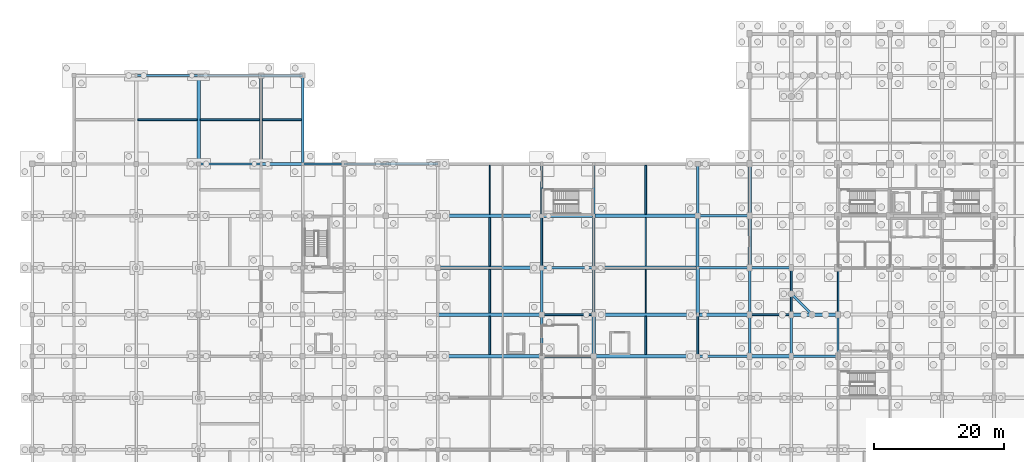
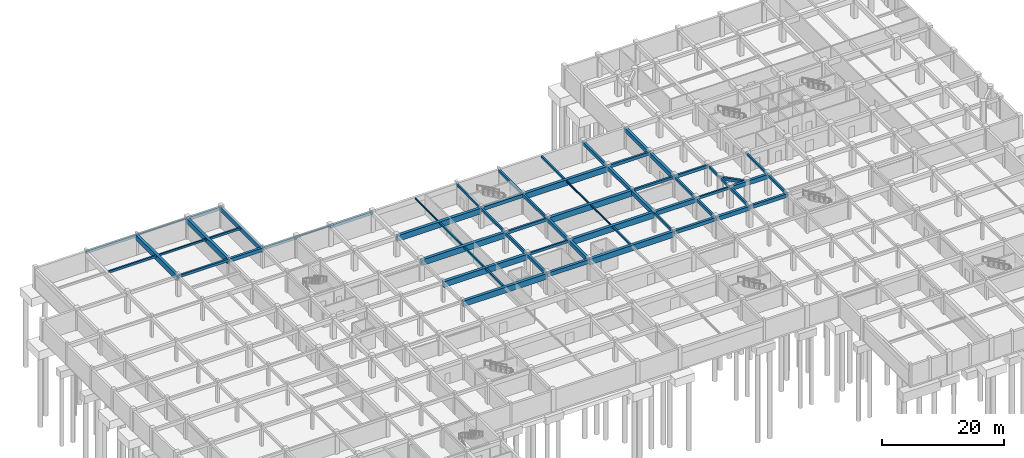
# One storey, part 13 of 28: 64 beams.
"""IFC4 building model written with IfcOpenShell, lengths in metres."""

from ifc_helpers import new_model, si_unit, direction, frame, origin, origin_2d, place, context, subcontext, project, spatial, rectangle, i_section, extrude, material, material_profile, profile_set, type_object, element, save


model = new_model("IFC4")

# Units and contexts
model_context = context("Model", 3, precision=1e-05, world=origin(), true_north=direction((0.0, 1.0)))
body_context = subcontext(model_context, "Body", "Model", "MODEL_VIEW")
ifc_project = project(units=[si_unit("LENGTHUNIT", "METRE"), si_unit("AREAUNIT", "SQUARE_METRE"), si_unit("VOLUMEUNIT", "CUBIC_METRE"), si_unit("PLANEANGLEUNIT", "RADIAN"), si_unit("MASSUNIT", "GRAM", prefix="KILO")], contexts=[model_context])

# Site, building, storey
site_placement = place(None, origin())
site = spatial("IfcSite", under=ifc_project, at=site_placement, CompositionType="ELEMENT")
building_placement = place(site_placement, origin())
building = spatial("IfcBuilding", under=site, at=building_placement, Name="Vellmiral Cinema and Media Centre", CompositionType="ELEMENT")
storey_placement = place(building_placement, frame((0.0, 0.0, -4.5)))
storey = spatial("IfcBuildingStorey", under=building, at=storey_placement, Name="B1", CompositionType="ELEMENT", Elevation=-4.5)

# Beams
ifc_material_1 = material(Name="Concrete C40/50", Category="concrete")
ifc_material_profile_1 = material_profile(ifc_material_1, rectangle(XDim=0.300048828125, YDim=0.449951171875, at=origin_2d()), Name="RC 300x450")
ifc_profile_set_1 = profile_set([ifc_material_profile_1], Name="Concrete C40/50")
beam_type_1 = type_object("IfcBeamType", Name="BM-RC-300x450", PredefinedType="BEAM", material=ifc_profile_set_1)
beam_1_placement = place(storey_placement, frame((78.39990234375, 87.199951171875, 3.85009765625), z_axis=(0.0, 1.0, 0.0), x_axis=(-1.0, 0.0, 0.0)))
element("IfcBeam", 1, at=beam_1_placement, inside=storey, type_object=beam_type_1, Name="Grid Beam B1-Y314", PredefinedType="BEAM", context=body_context, shape_type="SweptSolid", body=[
    extrude(rectangle(XDim=0.300048828125, YDim=0.449951171875, at=origin_2d()), origin(), (0.0, 0.0, 1.0), 8.0),
])
beam_2_placement = place(storey_placement, frame((124.0, 72.0, 3.85009765625), z_axis=(0.0, 1.0, 0.0), x_axis=(-1.0, 0.0, 0.0)))
element("IfcBeam", 2, at=beam_2_placement, inside=storey, type_object=beam_type_1, Name="Grid Beam B1-Y360", PredefinedType="BEAM", context=body_context, shape_type="SweptSolid", body=[
    extrude(rectangle(XDim=0.300048828125, YDim=0.449951171875, at=origin_2d()), origin(), (0.0, 0.0, 1.0), 7.199951171875),
])
ifc_material_2 = material(Name="Concrete C40/50", Category="concrete")
ifc_material_profile_2 = material_profile(ifc_material_2, rectangle(XDim=0.300048828125, YDim=0.5, at=origin_2d()), Name="RC 300x500")
ifc_profile_set_2 = profile_set([ifc_material_profile_2], Name="Concrete C40/50")
beam_type_2 = type_object("IfcBeamType", Name="BM-RC-300x500", PredefinedType="BEAM", material=ifc_profile_set_2)
beam_3_placement = place(storey_placement, frame((78.39990234375, 72.0, 3.824951171875), z_axis=(1.0, 0.0, 0.0), x_axis=(0.0, 1.0, 0.0)))
element("IfcBeam", 3, at=beam_3_placement, inside=storey, type_object=beam_type_2, Name="Grid Beam B1-X126", PredefinedType="BEAM", context=body_context, shape_type="SweptSolid", body=[
    extrude(rectangle(XDim=0.300048828125, YDim=0.5, at=origin_2d()), origin(), (0.0, 0.0, 1.0), 8.0),
])
beam_4_placement = place(storey_placement, frame((110.39990234375, 72.0, 3.824951171875), z_axis=(1.0, 0.0, 0.0), x_axis=(0.0, 1.0, 0.0)))
element("IfcBeam", 4, at=beam_4_placement, inside=storey, type_object=beam_type_2, Name="Grid Beam B1-X129", PredefinedType="BEAM", context=body_context, shape_type="SweptSolid", body=[
    extrude(rectangle(XDim=0.300048828125, YDim=0.5, at=origin_2d()), origin(), (0.0, 0.0, 1.0), 6.400146484375),
])
beam_5_placement = place(storey_placement, frame((78.39990234375, 79.199951171875, 3.824951171875), z_axis=(0.0, 1.0, 0.0), x_axis=(-1.0, 0.0, 0.0)))
element("IfcBeam", 5, at=beam_5_placement, inside=storey, type_object=beam_type_2, Name="Grid Beam B1-Y313", PredefinedType="BEAM", context=body_context, shape_type="SweptSolid", body=[
    extrude(rectangle(XDim=0.300048828125, YDim=0.5, at=origin_2d()), origin(), (0.0, 0.0, 1.0), 8.0),
])
beam_6_placement = place(storey_placement, frame((102.39990234375, 65.60009765625, 3.824951171875), z_axis=(0.0, 1.0, 0.0), x_axis=(-1.0, 0.0, 0.0)))
element("IfcBeam", 6, at=beam_6_placement, inside=storey, type_object=beam_type_2, Name="Grid Beam B1-Y327", PredefinedType="BEAM", context=body_context, shape_type="SweptSolid", body=[
    extrude(rectangle(XDim=0.300048828125, YDim=0.5, at=origin_2d()), origin(), (0.0, 0.0, 1.0), 6.39990234375),
])
beam_7_placement = place(storey_placement, frame((116.800048828125, 72.0, 3.824951171875), z_axis=(0.0, 1.0, 0.0), x_axis=(-1.0, 0.0, 0.0)))
element("IfcBeam", 7, at=beam_7_placement, inside=storey, type_object=beam_type_2, Name="Grid Beam B1-Y348", PredefinedType="BEAM", context=body_context, shape_type="SweptSolid", body=[
    extrude(rectangle(XDim=0.300048828125, YDim=0.5, at=origin_2d()), origin(), (0.0, 0.0, 1.0), 7.199951171875),
])
ifc_material_3 = material(Name="Concrete C40/50", Category="concrete")
ifc_material_profile_3 = material_profile(ifc_material_3, rectangle(XDim=0.35009765625, YDim=0.5, at=origin_2d()), Name="RC 350x500")
ifc_profile_set_3 = profile_set([ifc_material_profile_3], Name="Concrete C40/50")
beam_type_3 = type_object("IfcBeamType", Name="BM-RC-350x500", PredefinedType="BEAM", material=ifc_profile_set_3)
beam_8_placement = place(storey_placement, frame((102.39990234375, 79.199951171875, 3.824951171875), z_axis=(1.0, 0.0, 0.0), x_axis=(0.0, 1.0, 0.0)))
element("IfcBeam", 8, at=beam_8_placement, inside=storey, type_object=beam_type_3, Name="Grid Beam B1-X147", PredefinedType="BEAM", context=body_context, shape_type="SweptSolid", body=[
    extrude(rectangle(XDim=0.35009765625, YDim=0.5, at=origin_2d()), origin(), (0.0, 0.0, 1.0), 8.0),
])
beam_9_placement = place(storey_placement, frame((25.60009765625, 95.199951171875, 3.824951171875), z_axis=(1.0, 0.0, 0.0), x_axis=(0.0, 1.0, 0.0)))
element("IfcBeam", 9, at=beam_9_placement, inside=storey, type_object=beam_type_3, Name="Grid Beam B1-X177", PredefinedType="BEAM", context=body_context, shape_type="SweptSolid", body=[
    extrude(rectangle(XDim=0.35009765625, YDim=0.5, at=origin_2d()), origin(), (0.0, 0.0, 1.0), 9.599853515625),
])
beam_10_placement = place(storey_placement, frame((110.39990234375, 72.0, 3.824951171875), z_axis=(0.0, 1.0, 0.0), x_axis=(-1.0, 0.0, 0.0)))
element("IfcBeam", 10, at=beam_10_placement, inside=storey, type_object=beam_type_3, Name="Grid Beam B1-Y336", PredefinedType="BEAM", context=body_context, shape_type="SweptSolid", body=[
    extrude(rectangle(XDim=0.35009765625, YDim=0.5, at=origin_2d()), origin(), (0.0, 0.0, 1.0), 7.199951171875),
])
beam_11_placement = place(storey_placement, frame((124.0, 65.60009765625, 3.824951171875), z_axis=(0.0, 1.0, 0.0), x_axis=(-1.0, 0.0, 0.0)))
element("IfcBeam", 11, at=beam_11_placement, inside=storey, type_object=beam_type_3, Name="Grid Beam B1-Y359", PredefinedType="BEAM", context=body_context, shape_type="SweptSolid", body=[
    extrude(rectangle(XDim=0.35009765625, YDim=0.5, at=origin_2d()), origin(), (0.0, 0.0, 1.0), 6.39990234375),
])
ifc_material_4 = material(Name="Concrete C40/50", Category="concrete")
ifc_material_profile_4 = material_profile(ifc_material_4, rectangle(XDim=0.35009765625, YDim=0.550048828125, at=origin_2d()), Name="RC 350x550")
ifc_profile_set_4 = profile_set([ifc_material_profile_4], Name="Concrete C40/50")
beam_type_4 = type_object("IfcBeamType", Name="BM-RC-350x550", PredefinedType="BEAM", material=ifc_profile_set_4)
beam_12_placement = place(storey_placement, frame((86.39990234375, 87.199951171875, 3.800048828125), z_axis=(0.0, 1.0, 0.0), x_axis=(-1.0, 0.0, 0.0)))
element("IfcBeam", 12, at=beam_12_placement, inside=storey, type_object=beam_type_4, Name="Grid Beam B1-Y322", PredefinedType="BEAM", context=body_context, shape_type="SweptSolid", body=[
    extrude(rectangle(XDim=0.35009765625, YDim=0.550048828125, at=origin_2d()), origin(), (0.0, 0.0, 1.0), 8.0),
])
beam_13_placement = place(storey_placement, frame((116.800048828125, 65.60009765625, 3.800048828125), z_axis=(0.0, 1.0, 0.0), x_axis=(-1.0, 0.0, 0.0)))
element("IfcBeam", 13, at=beam_13_placement, inside=storey, type_object=beam_type_4, Name="Grid Beam B1-Y347", PredefinedType="BEAM", context=body_context, shape_type="SweptSolid", body=[
    extrude(rectangle(XDim=0.35009765625, YDim=0.550048828125, at=origin_2d()), origin(), (0.0, 0.0, 1.0), 6.39990234375),
])
ifc_material_5 = material(Name="Concrete C40/50", Category="concrete")
ifc_material_profile_5 = material_profile(ifc_material_5, rectangle(XDim=0.35009765625, YDim=0.60009765625, at=origin_2d()), Name="RC 350x600")
ifc_profile_set_5 = profile_set([ifc_material_profile_5], Name="Concrete C40/50")
beam_type_5 = type_object("IfcBeamType", Name="BM-RC-350x600", PredefinedType="BEAM", material=ifc_profile_set_5)
beam_14_placement = place(storey_placement, frame((78.39990234375, 79.199951171875, 3.77490234375), z_axis=(1.0, 0.0, 0.0), x_axis=(0.0, 1.0, 0.0)))
element("IfcBeam", 14, at=beam_14_placement, inside=storey, type_object=beam_type_5, Name="Grid Beam B1-X145", PredefinedType="BEAM", context=body_context, shape_type="SweptSolid", body=[
    extrude(rectangle(XDim=0.35009765625, YDim=0.60009765625, at=origin_2d()), origin(), (0.0, 0.0, 1.0), 8.0),
])
beam_15_placement = place(storey_placement, frame((110.39990234375, 79.199951171875, 3.77490234375), z_axis=(1.0, 0.0, 0.0), x_axis=(0.0, 1.0, 0.0)))
element("IfcBeam", 15, at=beam_15_placement, inside=storey, type_object=beam_type_5, Name="Grid Beam B1-X148", PredefinedType="BEAM", context=body_context, shape_type="SweptSolid", body=[
    extrude(rectangle(XDim=0.35009765625, YDim=0.60009765625, at=origin_2d()), origin(), (0.0, 0.0, 1.0), 6.400146484375),
])
beam_16_placement = place(storey_placement, frame((78.39990234375, 72.0, 3.77490234375), z_axis=(0.0, 1.0, 0.0), x_axis=(-1.0, 0.0, 0.0)))
element("IfcBeam", 16, at=beam_16_placement, inside=storey, type_object=beam_type_5, Name="Grid Beam B1-Y312", PredefinedType="BEAM", context=body_context, shape_type="SweptSolid", body=[
    extrude(rectangle(XDim=0.35009765625, YDim=0.60009765625, at=origin_2d()), origin(), (0.0, 0.0, 1.0), 7.199951171875),
])
beam_17_placement = place(storey_placement, frame((86.39990234375, 79.199951171875, 3.77490234375), z_axis=(0.0, 1.0, 0.0), x_axis=(-1.0, 0.0, 0.0)))
element("IfcBeam", 17, at=beam_17_placement, inside=storey, type_object=beam_type_5, Name="Grid Beam B1-Y321", PredefinedType="BEAM", context=body_context, shape_type="SweptSolid", body=[
    extrude(rectangle(XDim=0.35009765625, YDim=0.60009765625, at=origin_2d()), origin(), (0.0, 0.0, 1.0), 8.0),
])
beam_18_placement = place(storey_placement, frame((110.39990234375, 65.60009765625, 3.77490234375), z_axis=(0.0, 1.0, 0.0), x_axis=(-1.0, 0.0, 0.0)))
element("IfcBeam", 18, at=beam_18_placement, inside=storey, type_object=beam_type_5, Name="Grid Beam B1-Y335", PredefinedType="BEAM", context=body_context, shape_type="SweptSolid", body=[
    extrude(rectangle(XDim=0.35009765625, YDim=0.60009765625, at=origin_2d()), origin(), (0.0, 0.0, 1.0), 6.39990234375),
])
ifc_material_6 = material(Name="Concrete C40/50", Category="concrete")
ifc_material_profile_6 = material_profile(ifc_material_6, rectangle(XDim=0.39990234375, YDim=0.60009765625, at=origin_2d()), Name="RC 400x600")
ifc_profile_set_6 = profile_set([ifc_material_profile_6], Name="Concrete C40/50")
beam_type_6 = type_object("IfcBeamType", Name="BM-RC-400x600", PredefinedType="BEAM", material=ifc_profile_set_6)
beam_19_placement = place(storey_placement, frame((102.39990234375, 87.199951171875, 3.77490234375), z_axis=(1.0, 0.0, 0.0), x_axis=(0.0, 1.0, 0.0)))
element("IfcBeam", 19, at=beam_19_placement, inside=storey, type_object=beam_type_6, Name="Grid Beam B1-X166", PredefinedType="BEAM", context=body_context, shape_type="SweptSolid", body=[
    extrude(rectangle(XDim=0.39990234375, YDim=0.60009765625, at=origin_2d()), origin(), (0.0, 0.0, 1.0), 8.0),
])
ifc_material_7 = material(Name="Concrete C40/50", Category="concrete")
ifc_material_profile_7 = material_profile(ifc_material_7, rectangle(XDim=0.39990234375, YDim=0.64990234375, at=origin_2d()), Name="RC 400x650")
ifc_profile_set_7 = profile_set([ifc_material_profile_7], Name="Concrete C40/50")
beam_type_7 = type_object("IfcBeamType", Name="BM-RC-400x650", PredefinedType="BEAM", material=ifc_profile_set_7)
beam_20_placement = place(storey_placement, frame((78.39990234375, 65.60009765625, 3.75), z_axis=(0.0, 1.0, 0.0), x_axis=(-1.0, 0.0, 0.0)))
element("IfcBeam", 20, at=beam_20_placement, inside=storey, type_object=beam_type_7, Name="Grid Beam B1-Y311", PredefinedType="BEAM", context=body_context, shape_type="SweptSolid", body=[
    extrude(rectangle(XDim=0.39990234375, YDim=0.64990234375, at=origin_2d()), origin(), (0.0, 0.0, 1.0), 6.39990234375),
])
beam_21_placement = place(storey_placement, frame((102.39990234375, 87.199951171875, 3.75), z_axis=(0.0, 1.0, 0.0), x_axis=(-1.0, 0.0, 0.0)))
element("IfcBeam", 21, at=beam_21_placement, inside=storey, type_object=beam_type_7, Name="Grid Beam B1-Y330", PredefinedType="BEAM", context=body_context, shape_type="SweptSolid", body=[
    extrude(rectangle(XDim=0.39990234375, YDim=0.64990234375, at=origin_2d()), origin(), (0.0, 0.0, 1.0), 8.0),
])
ifc_material_8 = material(Name="Concrete C40/50", Category="concrete")
ifc_material_profile_8 = material_profile(ifc_material_8, rectangle(XDim=0.449951171875, YDim=0.699951171875, at=origin_2d()), Name="RC 450x700")
ifc_profile_set_8 = profile_set([ifc_material_profile_8], Name="Concrete C40/50")
beam_type_8 = type_object("IfcBeamType", Name="BM-RC-450x700", PredefinedType="BEAM", material=ifc_profile_set_8)
beam_22_placement = place(storey_placement, frame((102.39990234375, 65.60009765625, 3.72509765625), z_axis=(1.0, 0.0, 0.0), x_axis=(0.0, 1.0, 0.0)))
element("IfcBeam", 22, at=beam_22_placement, inside=storey, type_object=beam_type_8, Name="Grid Beam B1-X109", PredefinedType="BEAM", context=body_context, shape_type="SweptSolid", body=[
    extrude(rectangle(XDim=0.449951171875, YDim=0.699951171875, at=origin_2d()), origin(), (0.0, 0.0, 1.0), 8.0),
])
beam_23_placement = place(storey_placement, frame((116.800048828125, 65.60009765625, 3.72509765625), z_axis=(1.0, 0.0, 0.0), x_axis=(0.0, 1.0, 0.0)))
element("IfcBeam", 23, at=beam_23_placement, inside=storey, type_object=beam_type_8, Name="Grid Beam B1-X111", PredefinedType="BEAM", context=body_context, shape_type="SweptSolid", body=[
    extrude(rectangle(XDim=0.449951171875, YDim=0.699951171875, at=origin_2d()), origin(), (0.0, 0.0, 1.0), 7.199951171875),
])
beam_24_placement = place(storey_placement, frame((78.39990234375, 87.199951171875, 3.72509765625), z_axis=(1.0, 0.0, 0.0), x_axis=(0.0, 1.0, 0.0)))
element("IfcBeam", 24, at=beam_24_placement, inside=storey, type_object=beam_type_8, Name="Grid Beam B1-X164", PredefinedType="BEAM", context=body_context, shape_type="SweptSolid", body=[
    extrude(rectangle(XDim=0.449951171875, YDim=0.699951171875, at=origin_2d()), origin(), (0.0, 0.0, 1.0), 8.0),
])
beam_25_placement = place(storey_placement, frame((35.199951171875, 95.199951171875, 3.72509765625), z_axis=(1.0, 0.0, 0.0), x_axis=(0.0, 1.0, 0.0)))
element("IfcBeam", 25, at=beam_25_placement, inside=storey, type_object=beam_type_8, Name="Grid Beam B1-X178", PredefinedType="BEAM", context=body_context, shape_type="SweptSolid", body=[
    extrude(rectangle(XDim=0.449951171875, YDim=0.699951171875, at=origin_2d()), origin(), (0.0, 0.0, 1.0), 6.400146484375),
])
beam_26_placement = place(storey_placement, frame((86.39990234375, 72.0, 3.72509765625), z_axis=(0.0, 1.0, 0.0), x_axis=(-1.0, 0.0, 0.0)))
element("IfcBeam", 26, at=beam_26_placement, inside=storey, type_object=beam_type_8, Name="Grid Beam B1-Y320", PredefinedType="BEAM", context=body_context, shape_type="SweptSolid", body=[
    extrude(rectangle(XDim=0.449951171875, YDim=0.699951171875, at=origin_2d()), origin(), (0.0, 0.0, 1.0), 7.199951171875),
])
beam_27_placement = place(storey_placement, frame((102.39990234375, 79.199951171875, 3.72509765625), z_axis=(0.0, 1.0, 0.0), x_axis=(-1.0, 0.0, 0.0)))
element("IfcBeam", 27, at=beam_27_placement, inside=storey, type_object=beam_type_8, Name="Grid Beam B1-Y329", PredefinedType="BEAM", context=body_context, shape_type="SweptSolid", body=[
    extrude(rectangle(XDim=0.449951171875, YDim=0.699951171875, at=origin_2d()), origin(), (0.0, 0.0, 1.0), 8.0),
])
ifc_material_9 = material(Name="Concrete C40/50", Category="concrete")
ifc_material_profile_9 = material_profile(ifc_material_9, rectangle(XDim=0.5, YDim=0.800048828125, at=origin_2d()), Name="RC 500x800")
ifc_profile_set_9 = profile_set([ifc_material_profile_9], Name="Concrete C40/50")
beam_type_9 = type_object("IfcBeamType", Name="BM-RC-500x800", PredefinedType="BEAM", material=ifc_profile_set_9)
beam_28_placement = place(storey_placement, frame((78.39990234375, 65.60009765625, 3.675048828125), z_axis=(1.0, 0.0, 0.0), x_axis=(0.0, 1.0, 0.0)))
element("IfcBeam", 28, at=beam_28_placement, inside=storey, type_object=beam_type_9, Name="Grid Beam B1-X107", PredefinedType="BEAM", context=body_context, shape_type="SweptSolid", body=[
    extrude(rectangle(XDim=0.5, YDim=0.800048828125, at=origin_2d()), origin(), (0.0, 0.0, 1.0), 8.0),
])
beam_29_placement = place(storey_placement, frame((110.39990234375, 65.60009765625, 3.675048828125), z_axis=(1.0, 0.0, 0.0), x_axis=(0.0, 1.0, 0.0)))
element("IfcBeam", 29, at=beam_29_placement, inside=storey, type_object=beam_type_9, Name="Grid Beam B1-X110", PredefinedType="BEAM", context=body_context, shape_type="SweptSolid", body=[
    extrude(rectangle(XDim=0.5, YDim=0.800048828125, at=origin_2d()), origin(), (0.0, 0.0, 1.0), 6.400146484375),
])
beam_30_placement = place(storey_placement, frame((86.39990234375, 65.60009765625, 3.675048828125), z_axis=(0.0, 1.0, 0.0), x_axis=(-1.0, 0.0, 0.0)))
element("IfcBeam", 30, at=beam_30_placement, inside=storey, type_object=beam_type_9, Name="Grid Beam B1-Y319", PredefinedType="BEAM", context=body_context, shape_type="SweptSolid", body=[
    extrude(rectangle(XDim=0.5, YDim=0.800048828125, at=origin_2d()), origin(), (0.0, 0.0, 1.0), 6.39990234375),
])
beam_31_placement = place(storey_placement, frame((110.39990234375, 87.199951171875, 3.675048828125), z_axis=(0.0, 1.0, 0.0), x_axis=(-1.0, 0.0, 0.0)))
element("IfcBeam", 31, at=beam_31_placement, inside=storey, type_object=beam_type_9, Name="Grid Beam B1-Y338", PredefinedType="BEAM", context=body_context, shape_type="SweptSolid", body=[
    extrude(rectangle(XDim=0.5, YDim=0.800048828125, at=origin_2d()), origin(), (0.0, 0.0, 1.0), 8.0),
])
ifc_material_10 = material(Name="Concrete C40/50", Category="concrete")
ifc_material_profile_10 = material_profile(ifc_material_10, rectangle(XDim=0.5, YDim=0.85009765625, at=origin_2d()), Name="RC 500x850")
ifc_profile_set_10 = profile_set([ifc_material_profile_10], Name="Concrete C40/50")
beam_type_10 = type_object("IfcBeamType", Name="BM-RC-500x850", PredefinedType="BEAM", material=ifc_profile_set_10)
beam_32_placement = place(storey_placement, frame((102.39990234375, 72.0, 3.64990234375), z_axis=(1.0, 0.0, 0.0), x_axis=(0.0, 1.0, 0.0)))
element("IfcBeam", 32, at=beam_32_placement, inside=storey, type_object=beam_type_10, Name="Grid Beam B1-X128", PredefinedType="BEAM", context=body_context, shape_type="SweptSolid", body=[
    extrude(rectangle(XDim=0.5, YDim=0.85009765625, at=origin_2d()), origin(), (0.0, 0.0, 1.0), 8.0),
])
for number, where, z_axis, x_axis, name in (
    (33, (116.800048828125, 72.0, 3.64990234375), (1.0, 0.0, 0.0), (0.0, 1.0, 0.0), "Grid Beam B1-X130"),
    (34, (102.39990234375, 72.0, 3.64990234375), (0.0, 1.0, 0.0), (-1.0, 0.0, 0.0), "Grid Beam B1-Y328"),
):
    element("IfcBeam", number, at=place(storey_placement, frame(where, z_axis=z_axis, x_axis=x_axis)), inside=storey, type_object=beam_type_10, Name=name, PredefinedType="BEAM", context=body_context, shape_type="SweptSolid", body=[
        extrude(rectangle(XDim=0.5, YDim=0.85009765625, at=origin_2d()), origin(), (0.0, 0.0, 1.0), 7.199951171875),
    ])
beam_33_placement = place(storey_placement, frame((110.39990234375, 79.199951171875, 3.64990234375), z_axis=(0.0, 1.0, 0.0), x_axis=(-1.0, 0.0, 0.0)))
element("IfcBeam", 35, at=beam_33_placement, inside=storey, type_object=beam_type_10, Name="Grid Beam B1-Y337", PredefinedType="BEAM", context=body_context, shape_type="SweptSolid", body=[
    extrude(rectangle(XDim=0.5, YDim=0.85009765625, at=origin_2d()), origin(), (0.0, 0.0, 1.0), 8.0),
])
ifc_material_11 = material(Name="Concrete C40/50", Category="concrete")
ifc_material_profile_11 = material_profile(ifc_material_11, rectangle(XDim=0.5, YDim=1.050048828125, at=origin_2d()), Name="RC 500x1050")
ifc_profile_set_11 = profile_set([ifc_material_profile_11], Name="Concrete C40/50")
beam_type_11 = type_object("IfcBeamType", Name="BM-RCG-500x1050", PredefinedType="BEAM", material=ifc_profile_set_11)
for number, where, z_axis, x_axis, name in (
    (36, (25.60009765625, 95.199951171875, 3.550048828125), (0.0, 1.0, 0.0), (-1.0, 0.0, 0.0), "Grid Beam B1-Y255"),
    (37, (35.199951171875, 95.199951171875, 3.550048828125), (0.0, 1.0, 0.0), (-1.0, 0.0, 0.0), "Grid Beam B1-Y267"),
):
    element("IfcBeam", number, at=place(storey_placement, frame(where, z_axis=z_axis, x_axis=x_axis)), inside=storey, type_object=beam_type_11, Name=name, PredefinedType="BEAM", context=body_context, shape_type="SweptSolid", body=[
        extrude(rectangle(XDim=0.5, YDim=1.050048828125, at=origin_2d()), origin(), (0.0, 0.0, 1.0), 13.60009765625),
    ])
ifc_material_12 = material(Name="Concrete C40/50", Category="concrete")
ifc_material_profile_12 = material_profile(ifc_material_12, rectangle(XDim=0.550048828125, YDim=1.14990234375, at=origin_2d()), Name="RC 550x1150")
ifc_profile_set_12 = profile_set([ifc_material_profile_12], Name="Concrete C40/50")
beam_type_12 = type_object("IfcBeamType", Name="BM-RCG-550x1150", PredefinedType="BEAM", material=ifc_profile_set_12)
for number, where, z_axis, x_axis, name in (
    (38, (62.39990234375, 65.60009765625, 3.5), (1.0, 0.0, 0.0), (0.0, 1.0, 0.0), "Grid Beam B1-X106"),
    (39, (86.39990234375, 65.60009765625, 3.5), (1.0, 0.0, 0.0), (0.0, 1.0, 0.0), "Grid Beam B1-X108"),
    (40, (62.39990234375, 72.0, 3.5), (1.0, 0.0, 0.0), (0.0, 1.0, 0.0), "Grid Beam B1-X125"),
    (41, (86.39990234375, 72.0, 3.5), (1.0, 0.0, 0.0), (0.0, 1.0, 0.0), "Grid Beam B1-X127"),
    (42, (62.39990234375, 79.199951171875, 3.5), (1.0, 0.0, 0.0), (0.0, 1.0, 0.0), "Grid Beam B1-X144"),
    (43, (86.39990234375, 79.199951171875, 3.5), (1.0, 0.0, 0.0), (0.0, 1.0, 0.0), "Grid Beam B1-X146"),
    (44, (62.39990234375, 87.199951171875, 3.5), (1.0, 0.0, 0.0), (0.0, 1.0, 0.0), "Grid Beam B1-X163"),
    (45, (86.39990234375, 87.199951171875, 3.5), (1.0, 0.0, 0.0), (0.0, 1.0, 0.0), "Grid Beam B1-X165"),
):
    element("IfcBeam", number, at=place(storey_placement, frame(where, z_axis=z_axis, x_axis=x_axis)), inside=storey, type_object=beam_type_12, Name=name, PredefinedType="BEAM", context=body_context, shape_type="SweptSolid", body=[
        extrude(rectangle(XDim=0.550048828125, YDim=1.14990234375, at=origin_2d()), origin(), (0.0, 0.0, 1.0), 16.0),
    ])
ifc_material_13 = material(Name="Concrete C40/50", Category="concrete")
ifc_material_profile_13 = material_profile(ifc_material_13, rectangle(XDim=0.25, YDim=0.35009765625, at=origin_2d()), Name="RC 250x350")
ifc_profile_set_13 = profile_set([ifc_material_profile_13], Name="Concrete C40/50")
beam_type_13 = type_object("IfcBeamType", Name="JST-RC-250x350", PredefinedType="JOIST", material=ifc_profile_set_13)
beam_34_placement = place(storey_placement, frame((25.85009765625, 102.0, 3.89990234375), z_axis=(1.0, 0.0, 0.0), x_axis=(0.0, 1.0, 0.0)))
element("IfcBeam", 46, at=beam_34_placement, inside=storey, type_object=beam_type_13, Name="Secondary Floor Joist B1-010", PredefinedType="JOIST", context=body_context, shape_type="SweptSolid", body=[
    extrude(rectangle(XDim=0.25, YDim=0.35009765625, at=origin_2d()), origin(), (0.0, 0.0, 1.0), 9.099853515625),
])
beam_35_placement = place(storey_placement, frame((70.39990234375, 79.47509765625, 3.89990234375), z_axis=(0.0, 1.0, 0.0), x_axis=(-1.0, 0.0, 0.0)))
element("IfcBeam", 47, at=beam_35_placement, inside=storey, type_object=beam_type_13, Name="Secondary Floor Joist B1-022", PredefinedType="JOIST", context=body_context, shape_type="SweptSolid", body=[
    extrude(rectangle(XDim=0.25, YDim=0.35009765625, at=origin_2d()), origin(), (0.0, 0.0, 1.0), 7.449951171875),
])
beam_36_placement = place(storey_placement, frame((94.39990234375, 65.875, 3.89990234375), z_axis=(0.0, 1.0, 0.0), x_axis=(-1.0, 0.0, 0.0)))
element("IfcBeam", 48, at=beam_36_placement, inside=storey, type_object=beam_type_13, Name="Secondary Floor Joist B1-028", PredefinedType="JOIST", context=body_context, shape_type="SweptSolid", body=[
    extrude(rectangle(XDim=0.25, YDim=0.35009765625, at=origin_2d()), origin(), (0.0, 0.0, 1.0), 5.85009765625),
])
ifc_material_14 = material(Name="Concrete C40/50", Category="concrete")
ifc_material_profile_14 = material_profile(ifc_material_14, rectangle(XDim=0.260009765625, YDim=0.3798828125, at=origin_2d()), Name="RC 260x380")
ifc_profile_set_14 = profile_set([ifc_material_profile_14], Name="Concrete C40/50")
beam_type_14 = type_object("IfcBeamType", Name="JST-RC-260x380", PredefinedType="JOIST", material=ifc_profile_set_14)
beam_37_placement = place(storey_placement, frame((70.39990234375, 72.27490234375, 3.885009765625), z_axis=(0.0, 1.0, 0.0), x_axis=(-1.0, 0.0, 0.0)))
element("IfcBeam", 49, at=beam_37_placement, inside=storey, type_object=beam_type_14, Name="Secondary Floor Joist B1-021", PredefinedType="JOIST", context=body_context, shape_type="SweptSolid", body=[
    extrude(rectangle(XDim=0.260009765625, YDim=0.3798828125, at=origin_2d()), origin(), (0.0, 0.0, 1.0), 6.650146484375),
])
ifc_material_15 = material(Name="Concrete C40/50", Category="concrete")
ifc_material_profile_15 = material_profile(ifc_material_15, rectangle(XDim=0.280029296875, YDim=0.39990234375, at=origin_2d()), Name="RC 280x400")
ifc_profile_set_15 = profile_set([ifc_material_profile_15], Name="Concrete C40/50")
beam_type_15 = type_object("IfcBeamType", Name="JST-RC-280x400", PredefinedType="JOIST", material=ifc_profile_set_15)
beam_38_placement = place(storey_placement, frame((70.39990234375, 65.875, 3.875), z_axis=(0.0, 1.0, 0.0), x_axis=(-1.0, 0.0, 0.0)))
element("IfcBeam", 50, at=beam_38_placement, inside=storey, type_object=beam_type_15, Name="Secondary Floor Joist B1-020", PredefinedType="JOIST", context=body_context, shape_type="SweptSolid", body=[
    extrude(rectangle(XDim=0.280029296875, YDim=0.39990234375, at=origin_2d()), origin(), (0.0, 0.0, 1.0), 5.85009765625),
])
ifc_material_16 = material(Name="Concrete C40/50", Category="concrete")
ifc_material_profile_16 = material_profile(ifc_material_16, rectangle(XDim=0.300048828125, YDim=0.419921875, at=origin_2d()), Name="RC 300x420")
ifc_profile_set_16 = profile_set([ifc_material_profile_16], Name="Concrete C40/50")
beam_type_16 = type_object("IfcBeamType", Name="JST-RC-300x420", PredefinedType="JOIST", material=ifc_profile_set_16)
beam_39_placement = place(storey_placement, frame((16.25, 102.0, 3.864990234375), z_axis=(1.0, 0.0, 0.0), x_axis=(0.0, 1.0, 0.0)))
element("IfcBeam", 51, at=beam_39_placement, inside=storey, type_object=beam_type_16, Name="Secondary Floor Joist B1-007", PredefinedType="JOIST", context=body_context, shape_type="SweptSolid", body=[
    extrude(rectangle(XDim=0.300048828125, YDim=0.419921875, at=origin_2d()), origin(), (0.0, 0.0, 1.0), 9.10009765625),
])
beam_40_placement = place(storey_placement, frame((35.449951171875, 102.0, 3.864990234375), z_axis=(1.0, 0.0, 0.0), x_axis=(0.0, 1.0, 0.0)))
element("IfcBeam", 52, at=beam_40_placement, inside=storey, type_object=beam_type_16, Name="Secondary Floor Joist B1-013", PredefinedType="JOIST", context=body_context, shape_type="SweptSolid", body=[
    extrude(rectangle(XDim=0.300048828125, YDim=0.419921875, at=origin_2d()), origin(), (0.0, 0.0, 1.0), 5.93994140625),
])
beam_41_placement = place(storey_placement, frame((94.39990234375, 87.47509765625, 3.864990234375), z_axis=(0.0, 1.0, 0.0), x_axis=(-1.0, 0.0, 0.0)))
element("IfcBeam", 53, at=beam_41_placement, inside=storey, type_object=beam_type_16, Name="Secondary Floor Joist B1-031", PredefinedType="JOIST", context=body_context, shape_type="SweptSolid", body=[
    extrude(rectangle(XDim=0.300048828125, YDim=0.419921875, at=origin_2d()), origin(), (0.0, 0.0, 1.0), 7.514892578125),
])
ifc_material_17 = material(Name="Steel S355", Category="steel")
ifc_material_profile_17 = material_profile(ifc_material_17, i_section(OverallWidth=0.300048828125, OverallDepth=0.300048828125, WebThickness=0.010986328125, FlangeThickness=0.01904296875, FilletRadius=0.027099609375, at=origin_2d()), Name="HEB 300")
ifc_profile_set_17 = profile_set([ifc_material_profile_17], Name="Steel S355")
beam_type_17 = type_object("IfcBeamType", Name="SBM-HEB300", PredefinedType="SPANDREL", material=ifc_profile_set_17)
beam_42_placement = place(storey_placement, frame((48.0, 95.199951171875, 3.925048828125), z_axis=(1.0, 0.0, 0.0), x_axis=(0.0, 1.0, 0.0)))
element("IfcBeam", 54, at=beam_42_placement, inside=storey, type_object=beam_type_17, Name="Grid Beam B1-X180", PredefinedType="SPANDREL", context=body_context, shape_type="SweptSolid", body=[
    extrude(i_section(OverallWidth=0.300048828125, OverallDepth=0.300048828125, WebThickness=0.010986328125, FlangeThickness=0.01904296875, FilletRadius=0.027099609375, at=origin_2d()), origin(), (0.0, 0.0, 1.0), 6.39990234375),
])
beam_43_placement = place(storey_placement, frame((25.60009765625, 108.800048828125, 3.925048828125), z_axis=(1.0, 0.0, 0.0), x_axis=(0.0, 1.0, 0.0)))
element("IfcBeam", 55, at=beam_43_placement, inside=storey, type_object=beam_type_17, Name="Grid Beam B1-X195", PredefinedType="SPANDREL", context=body_context, shape_type="SweptSolid", body=[
    extrude(i_section(OverallWidth=0.300048828125, OverallDepth=0.300048828125, WebThickness=0.010986328125, FlangeThickness=0.01904296875, FilletRadius=0.027099609375, at=origin_2d()), origin(), (0.0, 0.0, 1.0), 9.599853515625),
])
ifc_material_18 = material(Name="Steel S355", Category="steel")
ifc_material_profile_18 = material_profile(ifc_material_18, i_section(OverallWidth=0.14990234375, OverallDepth=0.300048828125, WebThickness=0.007080078125, FlangeThickness=0.0107421875, FilletRadius=0.014892578125, at=origin_2d()), Name="IPE 300")
ifc_profile_set_18 = profile_set([ifc_material_profile_18], Name="Steel S355")
beam_type_18 = type_object("IfcBeamType", Name="SBM-IPE300", PredefinedType="JOIST", material=ifc_profile_set_18)
beam_44_placement = place(storey_placement, frame((70.39990234375, 87.47509765625, 3.925048828125), z_axis=(0.0, 1.0, 0.0), x_axis=(-1.0, 0.0, 0.0)))
element("IfcBeam", 56, at=beam_44_placement, inside=storey, type_object=beam_type_18, Name="Secondary Floor Joist B1-023", PredefinedType="JOIST", context=body_context, shape_type="SweptSolid", body=[
    extrude(i_section(OverallWidth=0.14990234375, OverallDepth=0.300048828125, WebThickness=0.007080078125, FlangeThickness=0.0107421875, FilletRadius=0.014892578125, at=origin_2d()), origin(), (0.0, 0.0, 1.0), 7.5),
])
beam_45_placement = place(storey_placement, frame((94.39990234375, 72.27490234375, 3.925048828125), z_axis=(0.0, 1.0, 0.0), x_axis=(-1.0, 0.0, 0.0)))
element("IfcBeam", 57, at=beam_45_placement, inside=storey, type_object=beam_type_18, Name="Secondary Floor Joist B1-029", PredefinedType="JOIST", context=body_context, shape_type="SweptSolid", body=[
    extrude(i_section(OverallWidth=0.14990234375, OverallDepth=0.300048828125, WebThickness=0.007080078125, FlangeThickness=0.0107421875, FilletRadius=0.014892578125, at=origin_2d()), origin(), (0.0, 0.0, 1.0), 6.650146484375),
])
ifc_material_19 = material(Name="Steel S355", Category="steel")
ifc_material_profile_19 = material_profile(ifc_material_19, i_section(OverallWidth=0.169921875, OverallDepth=0.360107421875, WebThickness=0.008056640625, FlangeThickness=0.0126953125, FilletRadius=0.01806640625, at=origin_2d()), Name="IPE 360")
ifc_profile_set_19 = profile_set([ifc_material_profile_19], Name="Steel S355")
beam_type_19 = type_object("IfcBeamType", Name="SBM-IPE360", PredefinedType="JOIST", material=ifc_profile_set_19)
beam_46_placement = place(storey_placement, frame((94.39990234375, 79.47509765625, 3.89501953125), z_axis=(0.0, 1.0, 0.0), x_axis=(-1.0, 0.0, 0.0)))
element("IfcBeam", 58, at=beam_46_placement, inside=storey, type_object=beam_type_19, Name="Secondary Floor Joist B1-030", PredefinedType="JOIST", context=body_context, shape_type="SweptSolid", body=[
    extrude(i_section(OverallWidth=0.169921875, OverallDepth=0.360107421875, WebThickness=0.008056640625, FlangeThickness=0.0126953125, FilletRadius=0.01806640625, at=origin_2d()), origin(), (0.0, 0.0, 1.0), 7.449951171875),
])
ifc_material_20 = material(Name="Concrete C40/50", Category="concrete")
ifc_material_profile_20 = material_profile(ifc_material_20, rectangle(XDim=0.39990234375, YDim=0.60009765625, at=origin_2d()), Name="RC 400x600")
ifc_profile_set_20 = profile_set([ifc_material_profile_20], Name="Concrete C40/50")
beam_type_20 = type_object("IfcBeamType", Name="SPD-RC-400x600", PredefinedType="SPANDREL", material=ifc_profile_set_20)
beam_47_placement = place(storey_placement, frame((54.39990234375, 95.199951171875, 3.77490234375), z_axis=(1.0, 0.0, 0.0), x_axis=(0.0, 1.0, 0.0)))
element("IfcBeam", 59, at=beam_47_placement, inside=storey, type_object=beam_type_20, Name="Grid Beam B1-X181", PredefinedType="SPANDREL", context=body_context, shape_type="SweptSolid", body=[
    extrude(rectangle(XDim=0.39990234375, YDim=0.60009765625, at=origin_2d()), origin(), (0.0, 0.0, 1.0), 8.0),
])
beam_48_placement = place(storey_placement, frame((35.199951171875, 108.800048828125, 3.77490234375), z_axis=(1.0, 0.0, 0.0), x_axis=(0.0, 1.0, 0.0)))
element("IfcBeam", 60, at=beam_48_placement, inside=storey, type_object=beam_type_20, Name="Grid Beam B1-X196", PredefinedType="SPANDREL", context=body_context, shape_type="SweptSolid", body=[
    extrude(rectangle(XDim=0.39990234375, YDim=0.60009765625, at=origin_2d()), origin(), (0.0, 0.0, 1.0), 6.400146484375),
])
beam_49_placement = place(storey_placement, frame((116.800048828125, 75.199951171875, 3.77490234375), z_axis=(0.707106781187, -0.707106781187, 0.0), x_axis=(0.707106781187, 0.707106781187, 0.0)))
element("IfcBeam", 61, at=beam_49_placement, inside=storey, type_object=beam_type_20, Name="Xamfra Chamfer Spandrel Beam B1-416", PredefinedType="SPANDREL", context=body_context, shape_type="SweptSolid", body=[
    extrude(rectangle(XDim=0.39990234375, YDim=0.60009765625, at=origin_2d()), origin(), (0.0, 0.0, 1.0), 4.525390625),
])
ifc_material_21 = material(Name="Vosges Red Sandstone Masonry", Category="masonry")
ifc_material_profile_21 = material_profile(ifc_material_21, rectangle(XDim=0.340087890625, YDim=0.52001953125, at=origin_2d()), Name="SAND 340x520")
ifc_profile_set_21 = profile_set([ifc_material_profile_21], Name="Vosges Red Sandstone Masonry")
beam_type_21 = type_object("IfcBeamType", Name="SPD-SAND-340x520", PredefinedType="SPANDREL", material=ifc_profile_set_21)
beam_50_placement = place(storey_placement, frame((41.60009765625, 95.199951171875, 3.81494140625), z_axis=(1.0, 0.0, 0.0), x_axis=(0.0, 1.0, 0.0)))
element("IfcBeam", 62, at=beam_50_placement, inside=storey, type_object=beam_type_21, Name="Grid Beam B1-X179", PredefinedType="SPANDREL", context=body_context, shape_type="SweptSolid", body=[
    extrude(rectangle(XDim=0.340087890625, YDim=0.52001953125, at=origin_2d()), origin(), (0.0, 0.0, 1.0), 6.39990234375),
])
beam_51_placement = place(storey_placement, frame((16.0, 108.800048828125, 3.81494140625), z_axis=(1.0, 0.0, 0.0), x_axis=(0.0, 1.0, 0.0)))
element("IfcBeam", 63, at=beam_51_placement, inside=storey, type_object=beam_type_21, Name="Grid Beam B1-X194", PredefinedType="SPANDREL", context=body_context, shape_type="SweptSolid", body=[
    extrude(rectangle(XDim=0.340087890625, YDim=0.52001953125, at=origin_2d()), origin(), (0.0, 0.0, 1.0), 9.60009765625),
])
ifc_material_22 = material(Name="Vosges Red Sandstone Masonry", Category="masonry")
ifc_material_profile_22 = material_profile(ifc_material_22, rectangle(XDim=0.419921875, YDim=1.0, at=origin_2d()), Name="SAND 420x1000")
ifc_profile_set_22 = profile_set([ifc_material_profile_22], Name="Vosges Red Sandstone Masonry")
beam_type_22 = type_object("IfcBeamType", Name="SPD-SANDG-420x1000", PredefinedType="SPANDREL", material=ifc_profile_set_22)
beam_52_placement = place(storey_placement, frame((41.60009765625, 95.199951171875, 3.574951171875), z_axis=(0.0, 1.0, 0.0), x_axis=(-1.0, 0.0, 0.0)))
element("IfcBeam", 64, at=beam_52_placement, inside=storey, type_object=beam_type_22, Name="Grid Beam B1-Y279", PredefinedType="SPANDREL", context=body_context, shape_type="SweptSolid", body=[
    extrude(rectangle(XDim=0.419921875, YDim=1.0, at=origin_2d()), origin(), (0.0, 0.0, 1.0), 13.60009765625),
])

save(model, "model.ifc")
